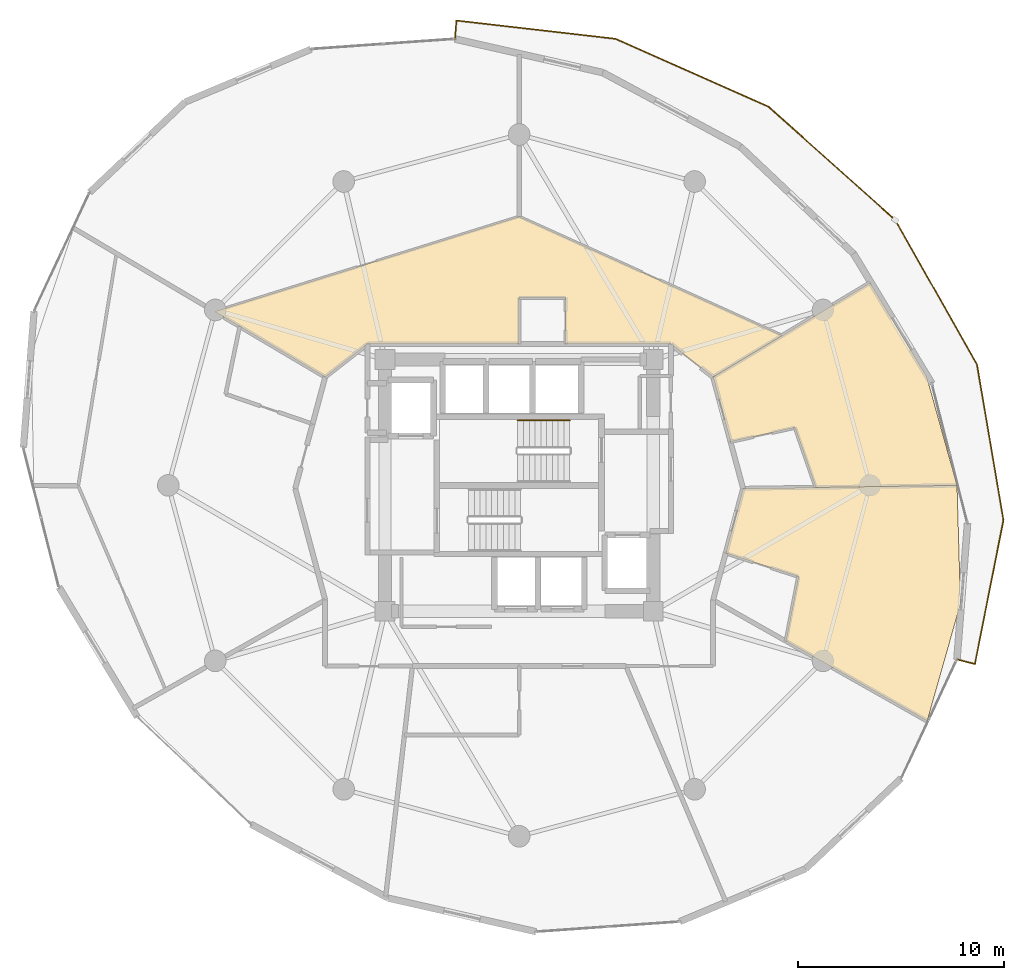
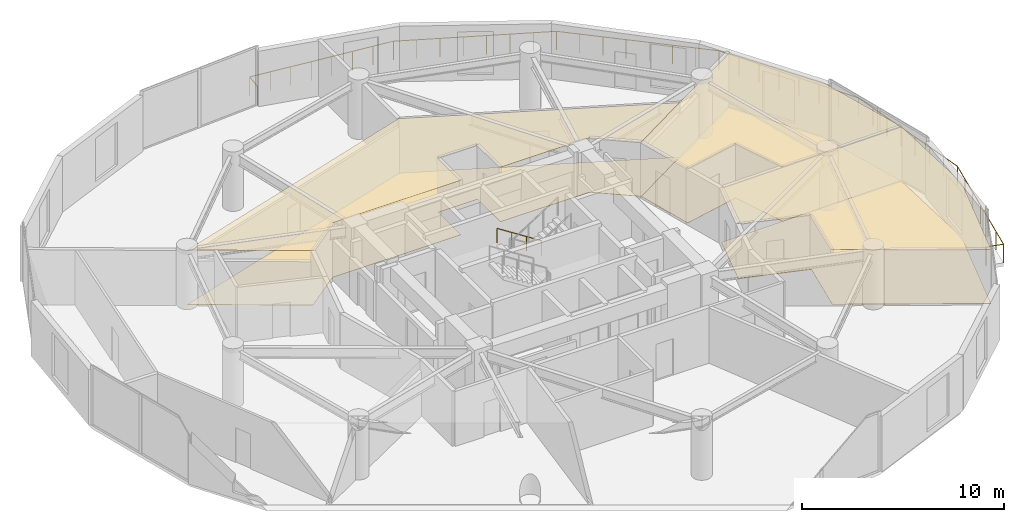
# One storey, part 25 of 25: 6 coverings, 2 railings.
"""IFC4 building model written with IfcOpenShell, lengths in metres."""

from ifc_helpers import new_model, si_unit, direction, frame, origin, origin_2d, place, context, subcontext, project, spatial, polyline, circle, outline, extrude, material, layer, layer_set, type_object, element, save


model = new_model("IFC4")

# Units and contexts
model_context = context("Model", 3, precision=1e-05, world=origin(), true_north=direction((0.0, 1.0)))
body_context = subcontext(model_context, "Body", "Model", "MODEL_VIEW")
ifc_project = project(units=[si_unit("LENGTHUNIT", "METRE"), si_unit("AREAUNIT", "SQUARE_METRE"), si_unit("VOLUMEUNIT", "CUBIC_METRE"), si_unit("PLANEANGLEUNIT", "RADIAN"), si_unit("MASSUNIT", "GRAM", prefix="KILO")], contexts=[model_context])

# Site, building, storey
site_placement = place(None, origin())
site = spatial("IfcSite", under=ifc_project, at=site_placement, CompositionType="ELEMENT")
building_placement = place(site_placement, origin())
building = spatial("IfcBuilding", under=site, at=building_placement, Name="Solvirekh Grand Hotel", CompositionType="ELEMENT")
storey_placement = place(building_placement, frame((0.0, 0.0, 120.60009765625)))
storey = spatial("IfcBuildingStorey", under=building, at=storey_placement, Name="L30", CompositionType="ELEMENT", Elevation=120.60009765625)

# Coverings
ifc_material_1 = material(Name="Acoustic Mineral Ceiling Tile")
ifc_layer_1 = layer(ifc_material_1, 0.02490234375)
ifc_layer_set_1 = layer_set([ifc_layer_1], Name="Acoustic Mineral Ceiling Tile")
covering_type_1 = type_object("IfcCoveringType", Name="Cov_Ceiling_Acoustic", PredefinedType="CEILING", material=ifc_layer_set_1)
covering_1_placement = place(storey_placement, frame((0.0, 0.0, 3.2998046875)))
element("IfcCovering", 1, at=covering_1_placement, inside=storey, type_object=covering_type_1, Name="L30 Panorama Suite 3201 Inner Suite Lounge acoustic ceiling", PredefinedType="CEILING", context=body_context, shape_type="SweptSolid", body=[
    extrude(outline(polyline([(0.0, 6.85009765625), (0.0, 9.10009765625), (2.25, 9.10009765625), (2.25, 6.85009765625), (7.35009765625, 6.85009765625), (9.39599609375, 5.25), (12.743896484375, 7.259033203125), (0.0, 13.02294921875), (-14.757080078125, 8.422119140625), (-9.39599609375, 5.25), (-7.35009765625, 6.85009765625), (0.0, 6.85009765625)])), origin(), (0.0, 0.0, 1.0), 0.01806640625),
])
covering_2_placement = place(storey_placement, frame((0.0, 0.0, 3.2998046875)))
element("IfcCovering", 2, at=covering_2_placement, inside=storey, type_object=covering_type_1, Name="L30 Deluxe Guestroom 3203 acoustic ceiling", PredefinedType="CEILING", context=body_context, shape_type="SweptSolid", body=[
    extrude(outline(polyline([(13.531982421875, -4.4169921875), (12.923095703125, -7.5439453125), (19.76904296875, -11.4140625), (21.381103515625, -5.72900390625), (21.215087890625, 0.0), (10.85009765625, -0.14990234375), (10.007080078125, -3.281982421875), (13.531982421875, -4.4169921875)])), origin(), (0.0, 0.0, 1.0), 0.01806640625),
])
covering_3_placement = place(storey_placement, frame((0.0, 0.0, 3.2998046875)))
element("IfcCovering", 3, at=covering_3_placement, inside=storey, type_object=covering_type_1, Name="L30 Deluxe Guestroom 3204 acoustic ceiling", PredefinedType="CEILING", context=body_context, shape_type="SweptSolid", body=[
    extrude(outline(polyline([(13.368896484375, 2.800048828125), (14.3740234375, -0.09912109375), (21.215087890625, 0.0), (19.739013671875, 5.2890625), (17.00390625, 9.81689453125), (9.39599609375, 5.25), (10.239013671875, 2.117919921875), (13.368896484375, 2.800048828125)])), origin(), (0.0, 0.0, 1.0), 0.01806640625),
])
ifc_material_2 = material(Name="Porcelain Stoneware Flooring", Category="masonry")
ifc_layer_2 = layer(ifc_material_2, 0.030029296875)
ifc_layer_set_2 = layer_set([ifc_layer_2], Name="Porcelain Stoneware Flooring")
covering_type_2 = type_object("IfcCoveringType", Name="Cov_Floor_Stone", PredefinedType="FLOORING", material=ifc_layer_set_2)
covering_4_placement = place(storey_placement, origin())
element("IfcCovering", 4, at=covering_4_placement, inside=storey, type_object=covering_type_2, Name="L30 Panorama Suite 3201 Inner Suite Lounge polished granite flooring", PredefinedType="FLOORING", context=body_context, shape_type="SweptSolid", body=[
    extrude(outline(polyline([(0.0, 6.85009765625), (0.0, 9.10009765625), (2.25, 9.10009765625), (2.25, 6.85009765625), (7.35009765625, 6.85009765625), (9.39599609375, 5.25), (12.743896484375, 7.259033203125), (0.0, 13.02294921875), (-14.757080078125, 8.422119140625), (-9.39599609375, 5.25), (-7.35009765625, 6.85009765625), (0.0, 6.85009765625)])), origin(), (0.0, 0.0, 1.0), 0.02001953125),
])
covering_5_placement = place(storey_placement, origin())
element("IfcCovering", 5, at=covering_5_placement, inside=storey, type_object=covering_type_2, Name="L30 Deluxe Guestroom 3203 polished granite flooring", PredefinedType="FLOORING", context=body_context, shape_type="SweptSolid", body=[
    extrude(outline(polyline([(13.531982421875, -4.4169921875), (12.923095703125, -7.5439453125), (19.76904296875, -11.4140625), (21.381103515625, -5.72900390625), (21.215087890625, 0.0), (10.85009765625, -0.14990234375), (10.007080078125, -3.281982421875), (13.531982421875, -4.4169921875)])), origin(), (0.0, 0.0, 1.0), 0.02001953125),
])
covering_6_placement = place(storey_placement, origin())
element("IfcCovering", 6, at=covering_6_placement, inside=storey, type_object=covering_type_2, Name="L30 Deluxe Guestroom 3204 polished granite flooring", PredefinedType="FLOORING", context=body_context, shape_type="SweptSolid", body=[
    extrude(outline(polyline([(13.368896484375, 2.800048828125), (14.3740234375, -0.09912109375), (21.215087890625, 0.0), (19.739013671875, 5.2890625), (17.00390625, 9.81689453125), (9.39599609375, 5.25), (10.239013671875, 2.117919921875), (13.368896484375, 2.800048828125)])), origin(), (0.0, 0.0, 1.0), 0.02001953125),
])

# Railings
ifc_material_3 = material(Name="Anodized Bronze Aluminium 6063-T6", Category="aluminium")
railing_type_1 = type_object("IfcRailingType", Name="Guard_ExtGlass_1150", PredefinedType="BALUSTRADE", material=ifc_material_3)
railing_1_placement = place(storey_placement, frame((21.2099609375, -8.430908203125, 0.0)))
element("IfcRailing", 7, at=railing_1_placement, inside=storey, type_object=railing_type_1, Name="L30 balc perimeter glass balustrade", PredefinedType="BALUSTRADE", context=body_context, shape_type="SweptSolid", body=[
    extrude(circle(Radius=0.02392578125, at=origin_2d()), frame((0.0, 0.0, 1.1259765625), z_axis=(0.967669093463, -0.252223166177, 0.0), x_axis=(0.252223166177, 0.967669093463, 0.0)), (0.0, 0.0, 1.0), 0.900146484375),
    extrude(circle(Radius=0.02392578125, at=origin_2d()), frame((0.87109375, -0.22705078125, 1.1259765625), z_axis=(0.194683825545, 0.980866050015, 0.0), x_axis=(-0.980866050015, 0.194683825545, 0.0)), (0.0, 0.0, 1.0), 7.1142578125),
    extrude(circle(Radius=0.02392578125, at=origin_2d()), frame((2.256103515625, 6.7509765625, 1.1259765625), z_axis=(-0.167944591291, 0.98579643652, 0.0), x_axis=(-0.98579643652, -0.167944591291, 0.0)), (0.0, 0.0, 1.0), 7.646484375),
    extrude(circle(Radius=0.02392578125, at=origin_2d()), frame((0.971923828125, 14.288818359375, 1.1259765625), z_axis=(-0.492264252224, 0.870445808757, 0.0), x_axis=(-0.870445808757, -0.492264252224, 0.0)), (0.0, 0.0, 1.0), 8.04443359375),
    extrude(circle(Radius=0.02392578125, at=origin_2d()), frame((-2.988037109375, 21.291015625, 1.1259765625), z_axis=(-0.745370267132, 0.666650706798, 0.0), x_axis=(-0.666650706798, -0.745370267132, 0.0)), (0.0, 0.0, 1.0), 8.21875),
    extrude(circle(Radius=0.02392578125, at=origin_2d()), frame((-9.114013671875, 26.77001953125, 1.1259765625), z_axis=(-0.913905676106, 0.405926613048, 0.0), x_axis=(-0.405926613048, -0.913905676106, 0.0)), (0.0, 0.0, 1.0), 8.126708984375),
    extrude(circle(Radius=0.02392578125, at=origin_2d()), frame((-16.541015625, 30.06884765625, 1.1259765625), z_axis=(-0.993460369692, 0.114177466481, 0.0), x_axis=(-0.114177466481, -0.993460369692, 0.0)), (0.0, 0.0, 1.0), 7.759765625),
    extrude(circle(Radius=0.02392578125, at=origin_2d()), frame((-24.25, 30.954833984375, 1.1259765625), z_axis=(-0.081114515989, -0.996704788438, 0.0), x_axis=(0.996704788438, -0.081114515989, 0.0)), (0.0, 0.0, 1.0), 0.89990234375),
    extrude(circle(Radius=0.02099609375, at=origin_2d()), origin(), (0.0, 0.0, 1.0), 1.101806640625),
    extrude(circle(Radius=0.02099609375, at=origin_2d()), frame((0.87109375, -0.22705078125, 0.0)), (0.0, 0.0, 1.0), 1.101806640625),
    extrude(circle(Radius=0.02099609375, at=origin_2d()), frame((1.10205078125, 0.93603515625, 0.0)), (0.0, 0.0, 1.0), 1.101806640625),
    extrude(circle(Radius=0.02099609375, at=origin_2d()), frame((1.332763671875, 2.098876953125, 0.0)), (0.0, 0.0, 1.0), 1.101806640625),
    extrude(circle(Radius=0.02099609375, at=origin_2d()), frame((1.5634765625, 3.261962890625, 0.0)), (0.0, 0.0, 1.0), 1.101806640625),
    extrude(circle(Radius=0.02099609375, at=origin_2d()), frame((1.79443359375, 4.425048828125, 0.0)), (0.0, 0.0, 1.0), 1.101806640625),
    extrude(circle(Radius=0.02099609375, at=origin_2d()), frame((2.025390625, 5.587890625, 0.0)), (0.0, 0.0, 1.0), 1.101806640625),
    extrude(circle(Radius=0.02099609375, at=origin_2d()), frame((2.256103515625, 6.7509765625, 0.0)), (0.0, 0.0, 1.0), 1.101806640625),
    extrude(circle(Radius=0.02099609375, at=origin_2d()), frame((2.07275390625, 7.827880859375, 0.0)), (0.0, 0.0, 1.0), 1.101806640625),
    extrude(circle(Radius=0.02099609375, at=origin_2d()), frame((1.88916015625, 8.904541015625, 0.0)), (0.0, 0.0, 1.0), 1.101806640625),
    extrude(circle(Radius=0.02099609375, at=origin_2d()), frame((1.705810546875, 9.9814453125, 0.0)), (0.0, 0.0, 1.0), 1.101806640625),
    extrude(circle(Radius=0.02099609375, at=origin_2d()), frame((1.522216796875, 11.058349609375, 0.0)), (0.0, 0.0, 1.0), 1.101806640625),
    extrude(circle(Radius=0.02099609375, at=origin_2d()), frame((1.3388671875, 12.13525390625, 0.0)), (0.0, 0.0, 1.0), 1.101806640625),
    extrude(circle(Radius=0.02099609375, at=origin_2d()), frame((1.1552734375, 13.2119140625, 0.0)), (0.0, 0.0, 1.0), 1.101806640625),
    extrude(circle(Radius=0.02099609375, at=origin_2d()), frame((0.971923828125, 14.288818359375, 0.0)), (0.0, 0.0, 1.0), 1.101806640625),
    extrude(circle(Radius=0.02099609375, at=origin_2d()), frame((0.40625, 15.2890625, 0.0)), (0.0, 0.0, 1.0), 1.101806640625),
    extrude(circle(Radius=0.02099609375, at=origin_2d()), frame((-0.159423828125, 16.28955078125, 0.0)), (0.0, 0.0, 1.0), 1.101806640625),
    extrude(circle(Radius=0.02099609375, at=origin_2d()), frame((-0.72509765625, 17.289794921875, 0.0)), (0.0, 0.0, 1.0), 1.101806640625),
    extrude(circle(Radius=0.02099609375, at=origin_2d()), frame((-1.291015625, 18.2900390625, 0.0)), (0.0, 0.0, 1.0), 1.101806640625),
    extrude(circle(Radius=0.02099609375, at=origin_2d()), frame((-1.856689453125, 19.290283203125, 0.0)), (0.0, 0.0, 1.0), 1.101806640625),
    extrude(circle(Radius=0.02099609375, at=origin_2d()), frame((-2.42236328125, 20.290771484375, 0.0)), (0.0, 0.0, 1.0), 1.101806640625),
    extrude(circle(Radius=0.02099609375, at=origin_2d()), frame((-2.988037109375, 21.291015625, 0.0)), (0.0, 0.0, 1.0), 1.101806640625),
    extrude(circle(Radius=0.02099609375, at=origin_2d()), frame((-3.86328125, 22.07373046875, 0.0)), (0.0, 0.0, 1.0), 1.101806640625),
    extrude(circle(Radius=0.02099609375, at=origin_2d()), frame((-4.73828125, 22.8564453125, 0.0)), (0.0, 0.0, 1.0), 1.101806640625),
    extrude(circle(Radius=0.02099609375, at=origin_2d()), frame((-5.613525390625, 23.63916015625, 0.0)), (0.0, 0.0, 1.0), 1.101806640625),
    extrude(circle(Radius=0.02099609375, at=origin_2d()), frame((-6.488525390625, 24.421875, 0.0)), (0.0, 0.0, 1.0), 1.101806640625),
    extrude(circle(Radius=0.02099609375, at=origin_2d()), frame((-7.36376953125, 25.20458984375, 0.0)), (0.0, 0.0, 1.0), 1.101806640625),
    extrude(circle(Radius=0.02099609375, at=origin_2d()), frame((-8.23876953125, 25.9873046875, 0.0)), (0.0, 0.0, 1.0), 1.101806640625),
    extrude(circle(Radius=0.02099609375, at=origin_2d()), frame((-9.114013671875, 26.77001953125, 0.0)), (0.0, 0.0, 1.0), 1.101806640625),
    extrude(circle(Radius=0.02099609375, at=origin_2d()), frame((-10.175048828125, 27.2412109375, 0.0)), (0.0, 0.0, 1.0), 1.101806640625),
    extrude(circle(Radius=0.02099609375, at=origin_2d()), frame((-11.236083984375, 27.712646484375, 0.0)), (0.0, 0.0, 1.0), 1.101806640625),
    extrude(circle(Radius=0.02099609375, at=origin_2d()), frame((-12.297119140625, 28.183837890625, 0.0)), (0.0, 0.0, 1.0), 1.101806640625),
    extrude(circle(Radius=0.02099609375, at=origin_2d()), frame((-13.35791015625, 28.655029296875, 0.0)), (0.0, 0.0, 1.0), 1.101806640625),
    extrude(circle(Radius=0.02099609375, at=origin_2d()), frame((-14.4189453125, 29.126220703125, 0.0)), (0.0, 0.0, 1.0), 1.101806640625),
    extrude(circle(Radius=0.02099609375, at=origin_2d()), frame((-15.47998046875, 29.59765625, 0.0)), (0.0, 0.0, 1.0), 1.101806640625),
    extrude(circle(Radius=0.02099609375, at=origin_2d()), frame((-16.541015625, 30.06884765625, 0.0)), (0.0, 0.0, 1.0), 1.101806640625),
    extrude(circle(Radius=0.02099609375, at=origin_2d()), frame((-17.642333984375, 30.1953125, 0.0)), (0.0, 0.0, 1.0), 1.101806640625),
    extrude(circle(Radius=0.02099609375, at=origin_2d()), frame((-18.74365234375, 30.322021484375, 0.0)), (0.0, 0.0, 1.0), 1.101806640625),
    extrude(circle(Radius=0.02099609375, at=origin_2d()), frame((-19.844970703125, 30.448486328125, 0.0)), (0.0, 0.0, 1.0), 1.101806640625),
    extrude(circle(Radius=0.02099609375, at=origin_2d()), frame((-20.946044921875, 30.5751953125, 0.0)), (0.0, 0.0, 1.0), 1.101806640625),
    extrude(circle(Radius=0.02099609375, at=origin_2d()), frame((-22.04736328125, 30.70166015625, 0.0)), (0.0, 0.0, 1.0), 1.101806640625),
    extrude(circle(Radius=0.02099609375, at=origin_2d()), frame((-23.148681640625, 30.828369140625, 0.0)), (0.0, 0.0, 1.0), 1.101806640625),
    extrude(circle(Radius=0.02099609375, at=origin_2d()), frame((-24.25, 30.954833984375, 0.0)), (0.0, 0.0, 1.0), 1.101806640625),
    extrude(circle(Radius=0.02099609375, at=origin_2d()), frame((-24.322998046875, 30.057861328125, 0.0)), (0.0, 0.0, 1.0), 1.101806640625),
])
railing_type_2 = type_object("IfcRailingType", Name="Handrail_Wall_900", PredefinedType="HANDRAIL", material=ifc_material_3)
railing_2_placement = place(storey_placement, frame((2.449951171875, 3.14990234375, 0.179931640625)))
element("IfcRailing", 8, at=railing_2_placement, inside=storey, type_object=railing_type_2, Name="L30 ST-2 stair handrail 1", PredefinedType="HANDRAIL", context=body_context, shape_type="SweptSolid", body=[
    extrude(circle(Radius=0.02392578125, at=origin_2d()), frame((0.0, 0.0, 0.8759765625), z_axis=(-0.841199657755, 0.0, 0.540724639528), x_axis=(0.0, -1.0, 0.0)), (0.0, 0.0, 1.0), 2.995849609375),
    extrude(circle(Radius=0.02099609375, at=origin_2d()), origin(), (0.0, 0.0, 1.0), 0.851806640625),
    extrude(circle(Radius=0.02099609375, at=origin_2d()), frame((-0.840087890625, 0.0, 0.5400390625)), (0.0, 0.0, 1.0), 0.851806640625),
    extrude(circle(Radius=0.02099609375, at=origin_2d()), frame((-1.679931640625, 0.0, 1.079833984375)), (0.0, 0.0, 1.0), 0.851806640625),
    extrude(circle(Radius=0.02099609375, at=origin_2d()), frame((-2.52001953125, 0.0, 1.619873046875)), (0.0, 0.0, 1.0), 0.851806640625),
])

save(model, "model.ifc")
